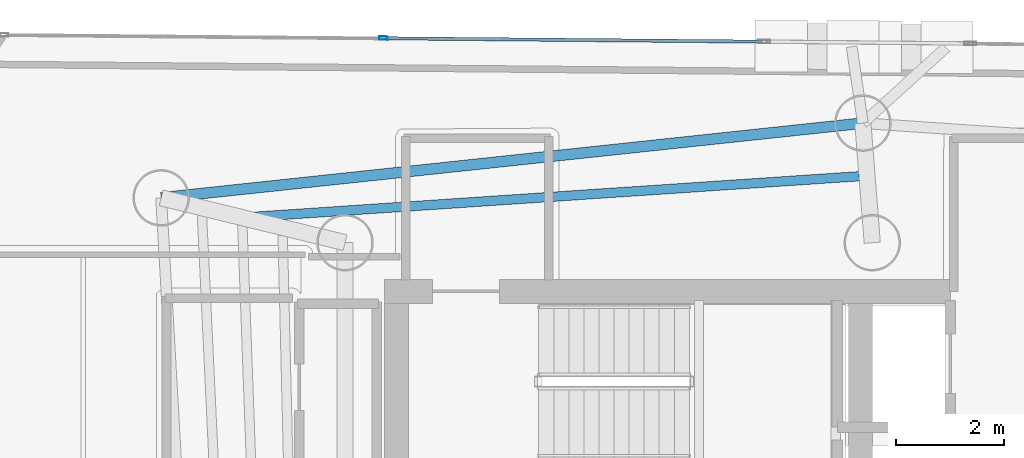
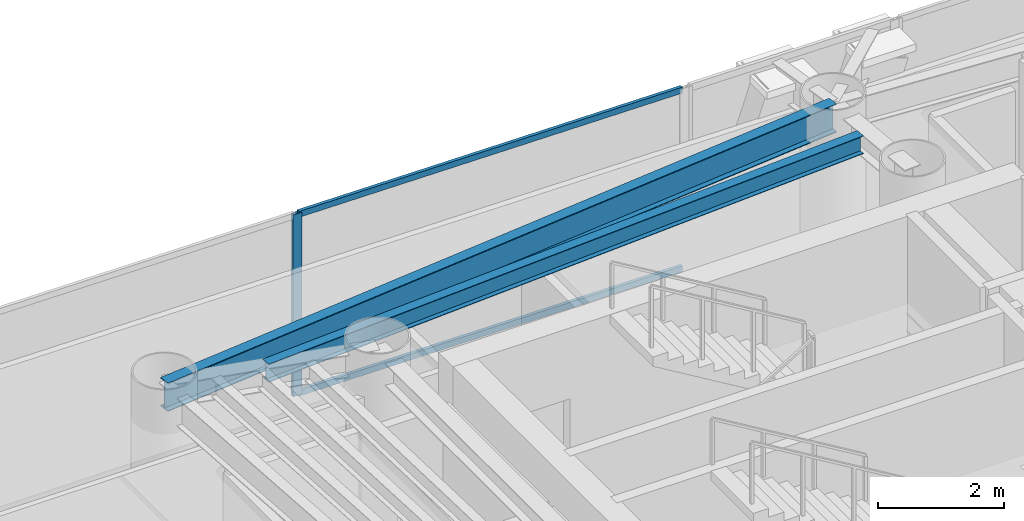
# One storey, part 10 of 21: 3 members, 2 beams, 1 element without a shape of its own.
"""IFC4 building model written with IfcOpenShell, lengths in metres."""

from ifc_helpers import new_model, si_unit, direction, frame, origin, origin_2d, place, context, subcontext, project, spatial, hollow_rectangle, i_section, extrude, material, layer, layer_set, material_profile, profile_set, type_object, element, aggregate, save


model = new_model("IFC4")

# Units and contexts
model_context = context("Model", 3, precision=1e-05, world=origin(), true_north=direction((0.0, 1.0)))
body_context = subcontext(model_context, "Body", "Model", "MODEL_VIEW")
ifc_project = project(units=[si_unit("LENGTHUNIT", "METRE"), si_unit("AREAUNIT", "SQUARE_METRE"), si_unit("VOLUMEUNIT", "CUBIC_METRE"), si_unit("PLANEANGLEUNIT", "RADIAN"), si_unit("MASSUNIT", "GRAM", prefix="KILO")], contexts=[model_context])

# Site, building, storey
site_placement = place(None, origin())
site = spatial("IfcSite", under=ifc_project, at=site_placement, CompositionType="ELEMENT")
building_placement = place(site_placement, origin())
building = spatial("IfcBuilding", under=site, at=building_placement, Name="Qianvela Tower", CompositionType="ELEMENT")
storey_placement = place(building_placement, frame((0.0, 0.0, 250.10009765625)))
storey = spatial("IfcBuildingStorey", under=building, at=storey_placement, Name="L64", CompositionType="ELEMENT", Elevation=250.10009765625)

# Beams
ifc_material_1 = material(Name="Steel Q355B", Category="steel")
ifc_material_profile_1 = material_profile(ifc_material_1, i_section(OverallWidth=0.175048828125, OverallDepth=0.35009765625, WebThickness=0.007080078125, FlangeThickness=0.010986328125, at=origin_2d()), Name="HN350x175x7x11")
ifc_profile_set_1 = profile_set([ifc_material_profile_1], Name="Steel Q355B")
beam_type_1 = type_object("IfcBeamType", Name="BM-HN350-JOIST", PredefinedType="JOIST", material=ifc_profile_set_1)
beam_1_placement = place(storey_placement, frame((38.15625, 34.78515625, 3.343017578125), z_axis=(-0.99776569919, -0.066810250112, 0.0), x_axis=(0.066810250112, -0.99776569919, 0.0)))
element("IfcBeam", 1, at=beam_1_placement, inside=storey, type_object=beam_type_1, Name="L64 Secondary Composite Floor Joist 2.2", PredefinedType="JOIST", context=body_context, shape_type="SweptSolid", body=[
    extrude(i_section(OverallWidth=0.175048828125, OverallDepth=0.35009765625, WebThickness=0.007080078125, FlangeThickness=0.010986328125, at=origin_2d()), origin(), (0.0, 0.0, 1.0), 11.35009765625),
])
ifc_material_2 = material(Name="Steel Q355B", Category="steel")
ifc_material_profile_2 = material_profile(ifc_material_2, i_section(OverallWidth=0.199951171875, OverallDepth=0.550048828125, WebThickness=0.010009765625, FlangeThickness=0.01611328125, at=origin_2d()), Name="HN550x200x10x16")
ifc_profile_set_2 = profile_set([ifc_material_profile_2], Name="Steel Q355B")
beam_type_2 = type_object("IfcBeamType", Name="BM-HN550-GIRD", PredefinedType="BEAM", material=ifc_profile_set_2)
beam_2_placement = place(storey_placement, frame((38.22509765625, 35.77294921875, 3.242919921875), z_axis=(-0.994378160395, -0.105887081975, 0.0), x_axis=(0.105887081975, -0.994378160395, 0.0)))
element("IfcBeam", 2, at=beam_2_placement, inside=storey, type_object=beam_type_2, Name="L64 Perimeter Ring Spandrel Girder 2", PredefinedType="BEAM", context=body_context, shape_type="SweptSolid", body=[
    extrude(i_section(OverallWidth=0.199951171875, OverallDepth=0.550048828125, WebThickness=0.010009765625, FlangeThickness=0.01611328125, at=origin_2d()), origin(), (0.0, 0.0, 1.0), 13.116943359375),
])

# Curtain wall, members
ifc_material_3 = material(Name="Anodised Architectural Aluminium and Low-E Glass", Category="aluminium")
ifc_layer = layer(ifc_material_3, 0.159912109375)
ifc_layer_set = layer_set([ifc_layer], Name="Anodised Architectural Aluminium and Low-E Glass")
curtain_wall_type = type_object("IfcCurtainWallType", Name="CW-COLIV-Z56", PredefinedType="USERDEFINED", material=ifc_layer_set)
curtain_wall_placement = place(storey_placement, origin())
curtain_wall = element("IfcCurtainWall", 3, at=curtain_wall_placement, inside=storey, type_object=curtain_wall_type, Name="L64 CW-COLIV-Z56 Curtain Wall 02C", ObjectType="CURTAIN_WALL_SYSTEM", PredefinedType="USERDEFINED")
ifc_material_4 = material(Name="Anodised Architectural Aluminium 6063-T6", Category="aluminium")
ifc_material_profile_3 = material_profile(ifc_material_4, hollow_rectangle(XDim=0.06494140625, YDim=0.159912109375, WallThickness=0.0048828125, at=origin_2d()), Name="ALU-MULL-65x160")
ifc_profile_set_3 = profile_set([ifc_material_profile_3], Name="Anodised Architectural Aluminium 6063-T6")
member_type_1 = type_object("IfcMemberType", Name="CW-COLIV-Z56-MULL", PredefinedType="MULLION", material=ifc_profile_set_3)
member_1_placement = place(storey_placement, frame((29.3125, 37.350830078125, 0.0), z_axis=(0.0, 0.0, 1.0), x_axis=(-0.008960365602, -0.999959855118, 0.0)))
member_1 = element("IfcMember", 4, at=member_1_placement, type_object=member_type_1, Name="CW-5 mullion 2", PredefinedType="MULLION", context=body_context, shape_type="SweptSolid", body=[
    extrude(hollow_rectangle(XDim=0.06494140625, YDim=0.159912109375, WallThickness=0.0048828125, at=origin_2d()), origin(), (0.0, 0.0, 1.0), 3.52001953125),
])
ifc_material_5 = material(Name="Anodised Architectural Aluminium 6063-T6", Category="aluminium")
ifc_material_profile_4 = material_profile(ifc_material_5, hollow_rectangle(XDim=0.06005859375, YDim=0.114990234375, WallThickness=0.00390625, at=origin_2d()), Name="ALU-TRAN-60x115")
ifc_profile_set_4 = profile_set([ifc_material_profile_4], Name="Anodised Architectural Aluminium 6063-T6")
member_type_2 = type_object("IfcMemberType", Name="CW-COLIV-Z56-TRAN", PredefinedType="USERDEFINED", material=ifc_profile_set_4)
member_2_placement = place(storey_placement, frame((36.328369140625, 37.287841796875, 0.02978515625), z_axis=(-0.999959952971, 0.008949438818, 0.0), x_axis=(-0.008949438818, -0.999959952971, 0.0)))
member_2 = element("IfcMember", 5, at=member_2_placement, type_object=member_type_2, Name="CW-5 transom 1.1", ObjectType="TRANSOM", PredefinedType="USERDEFINED", context=body_context, shape_type="SweptSolid", body=[
    extrude(hollow_rectangle(XDim=0.06005859375, YDim=0.114990234375, WallThickness=0.00390625, at=origin_2d()), origin(), (0.0, 0.0, 1.0), 6.983642578125),
])
member_3_placement = place(storey_placement, frame((36.328369140625, 37.287841796875, 3.489990234375), z_axis=(-0.999959952971, 0.008949438818, 0.0), x_axis=(-0.008949438818, -0.999959952971, 0.0)))
member_3 = element("IfcMember", 6, at=member_3_placement, type_object=member_type_2, Name="CW-5 transom 1.2", ObjectType="TRANSOM", PredefinedType="USERDEFINED", context=body_context, shape_type="SweptSolid", body=[
    extrude(hollow_rectangle(XDim=0.06005859375, YDim=0.114990234375, WallThickness=0.00390625, at=origin_2d()), origin(), (0.0, 0.0, 1.0), 6.983642578125),
])
aggregate(curtain_wall, [member_1, member_2, member_3])

save(model, "model.ifc")
